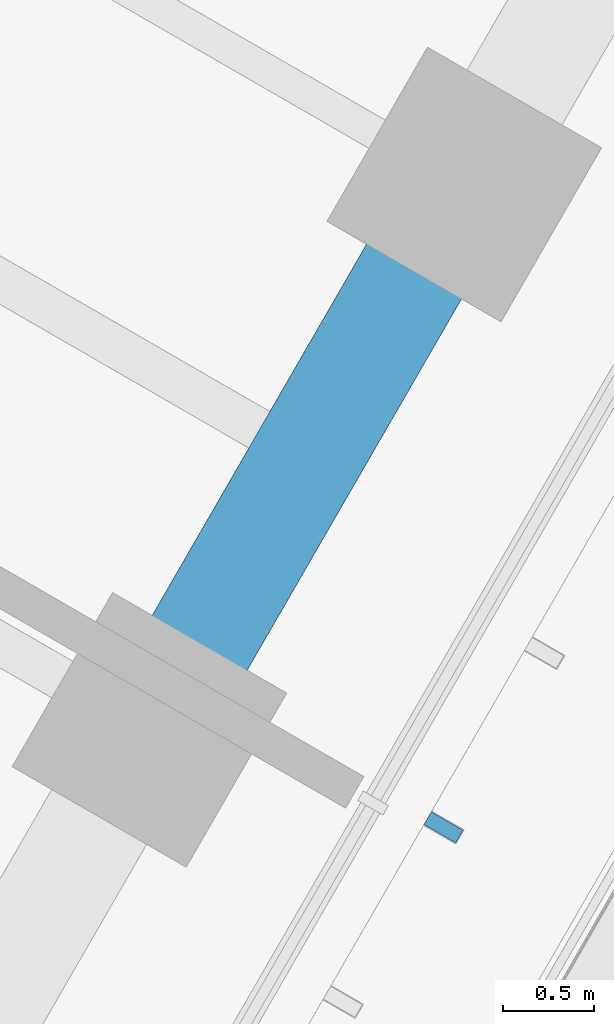
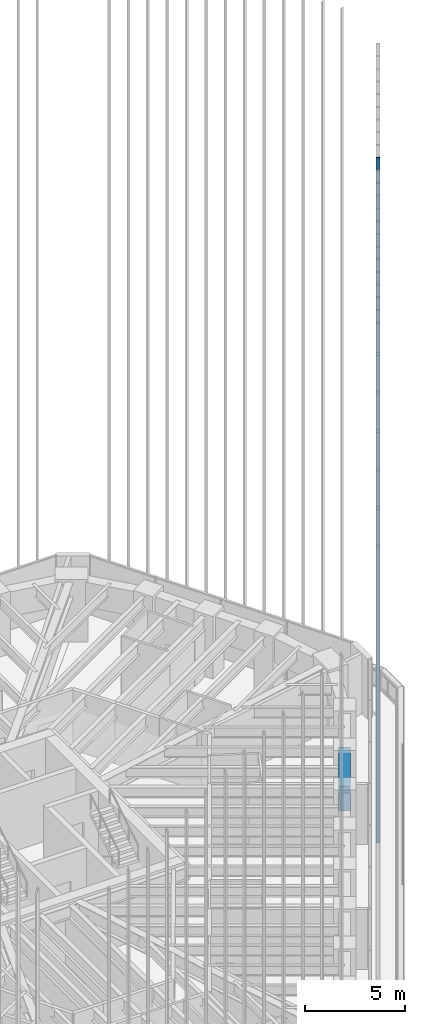
# One storey, part 47 of 127: 1 beam, 1 member, 1 element without a shape of its own.
"""IFC4 building model written with IfcOpenShell, lengths in metres."""

from ifc_helpers import new_model, si_unit, direction, frame, origin, origin_2d, place, context, subcontext, project, spatial, rectangle, extrude, material, material_profile, profile_set, type_object, element, aggregate, save


model = new_model("IFC4")

# Units and contexts
model_context = context("Model", 3, precision=1e-05, world=origin(), true_north=direction((0.0, 1.0)))
body_context = subcontext(model_context, "Body", "Model", "MODEL_VIEW")
ifc_project = project(units=[si_unit("LENGTHUNIT", "METRE"), si_unit("AREAUNIT", "SQUARE_METRE"), si_unit("VOLUMEUNIT", "CUBIC_METRE"), si_unit("PLANEANGLEUNIT", "RADIAN"), si_unit("MASSUNIT", "GRAM", prefix="KILO")], contexts=[model_context])

# Site, building, storey
site_placement = place(None, origin())
site = spatial("IfcSite", under=ifc_project, at=site_placement, CompositionType="ELEMENT")
building_placement = place(site_placement, origin())
building = spatial("IfcBuilding", under=site, at=building_placement, Name="Sandreach Pilgrim Tower", CompositionType="ELEMENT")
storey_placement = place(building_placement, frame((0.0, 0.0, 257.0)))
storey = spatial("IfcBuildingStorey", under=building, at=storey_placement, Name="L64", CompositionType="ELEMENT", Elevation=257.0)

# Beam
ifc_material_1 = material(Name="Concrete 10000 psi", Category="concrete")
ifc_material_profile_1 = material_profile(ifc_material_1, rectangle(XDim=0.60009765625, YDim=1.5, at=origin_2d()), Name="RC600X1500")
ifc_profile_set_1 = profile_set([ifc_material_profile_1], Name="Concrete 10000 psi")
beam_type = type_object("IfcBeamType", Name="Spandrel beam RC600X1500", PredefinedType="SPANDREL", material=ifc_profile_set_1)
beam_placement = place(storey_placement, frame((20.38525390625, -1.824462890625, 2.889892578125), z_axis=(-0.499957605418, -0.866049878924, 0.0), x_axis=(0.866049878924, -0.499957605418, 0.0)))
element("IfcBeam", 1, at=beam_placement, inside=storey, type_object=beam_type, Name="BM L64 SP15", PredefinedType="SPANDREL", context=body_context, shape_type="SweptSolid", body=[
    extrude(rectangle(XDim=0.60009765625, YDim=1.5, at=origin_2d()), origin(), (0.0, 0.0, 1.0), 3.445068359375),
])

# Curtain wall, member
ifc_material_2 = material(Name="Aluminium framed curtain wall", Category="aluminium")
curtain_wall_type = type_object("IfcCurtainWallType", Name="Suite tower curtain wall", PredefinedType="NOTDEFINED", material=ifc_material_2)
curtain_wall_placement = place(storey_placement, origin())
curtain_wall = element("IfcCurtainWall", 2, at=curtain_wall_placement, inside=storey, type_object=curtain_wall_type, Name="CW-4 L64 SE", PredefinedType="NOTDEFINED")
ifc_material_3 = material(Name="Extruded terracotta on aluminium core", Category="masonry")
ifc_material_profile_2 = material_profile(ifc_material_3, rectangle(XDim=0.080078125, YDim=0.199951171875, at=origin_2d()), Name="TBE 80X200")
ifc_profile_set_2 = profile_set([ifc_material_profile_2], Name="Extruded terracotta on aluminium core")
member_type = type_object("IfcMemberType", Name="Terracotta baguette east", PredefinedType="USERDEFINED", material=ifc_profile_set_2)
member_placement = place(storey_placement, frame((20.271484375, -5.341552734375, 0.0), z_axis=(0.0, 0.0, 1.0), x_axis=(-0.5, -0.866025403784, 0.0)))
member = element("IfcMember", 3, at=member_placement, type_object=member_type, Name="Baguette Z4 SE10", ObjectType="BAGUETTE", PredefinedType="USERDEFINED", context=body_context, shape_type="SweptSolid", body=[
    extrude(rectangle(XDim=0.080078125, YDim=0.199951171875, at=origin_2d()), origin(), (0.0, 0.0, 1.0), 41.639892578125),
])
aggregate(curtain_wall, [member])

save(model, "model.ifc")
